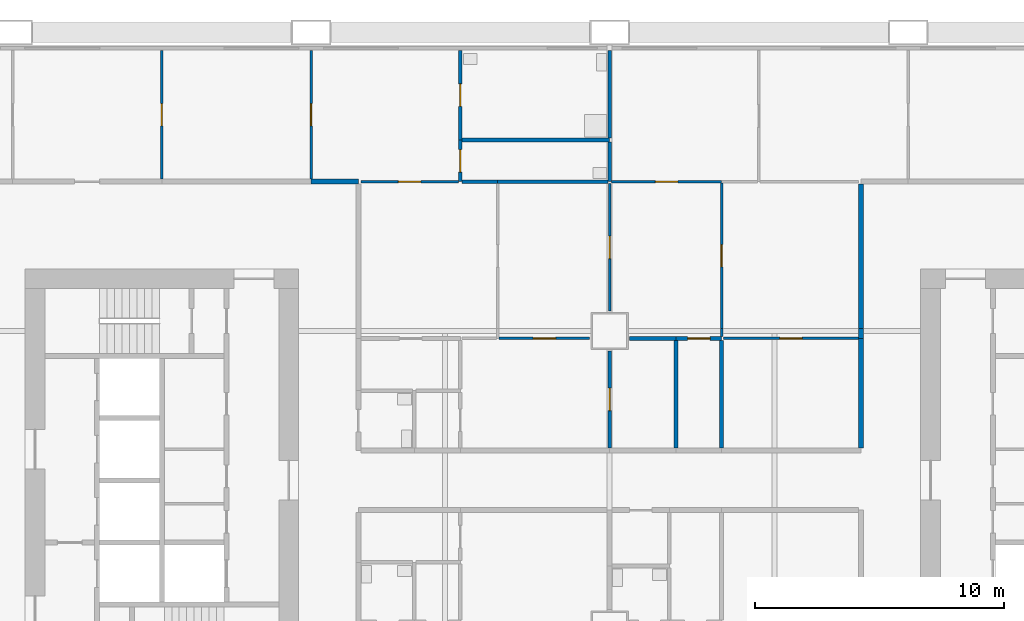
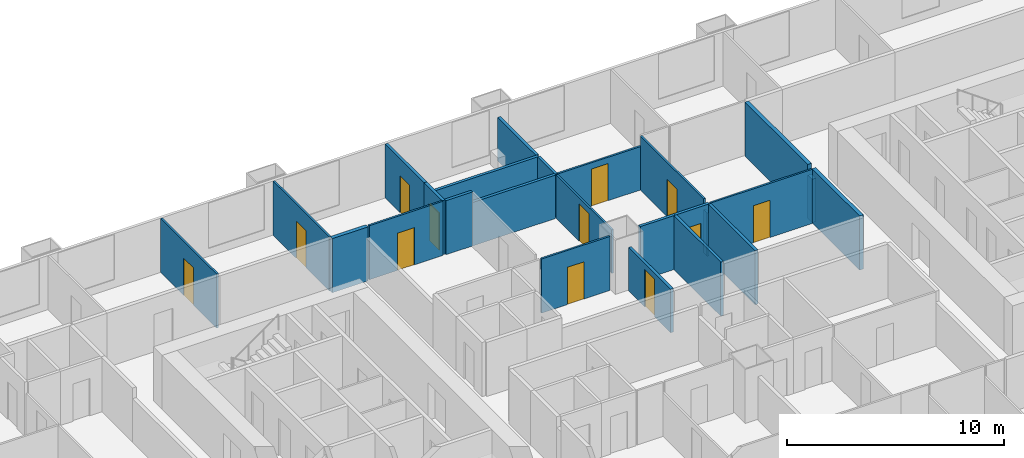
# One storey, part 9 of 14: 25 walls, 12 doors, 12 openings.
"""IFC4 building model written with IfcOpenShell, lengths in metres."""

from ifc_helpers import new_model, si_unit, direction, frame, frame_2d, origin, place, context, subcontext, project, spatial, rectangle, extrude, material, layer, layer_set, type_object, element, fill, save


model = new_model("IFC4")

# Units and contexts
model_context = context("Model", 3, precision=1e-05, world=origin(), true_north=direction((0.0, 1.0)))
body_context = subcontext(model_context, "Body", "Model", "MODEL_VIEW")
ifc_project = project(units=[si_unit("LENGTHUNIT", "METRE"), si_unit("AREAUNIT", "SQUARE_METRE"), si_unit("VOLUMEUNIT", "CUBIC_METRE"), si_unit("PLANEANGLEUNIT", "RADIAN"), si_unit("MASSUNIT", "GRAM", prefix="KILO")], contexts=[model_context])

# Site, building, storey
site_placement = place(None, origin())
site = spatial("IfcSite", under=ifc_project, at=site_placement, CompositionType="ELEMENT")
building_placement = place(site_placement, origin())
building = spatial("IfcBuilding", under=site, at=building_placement, Name="Kitamizu Gate Tower and Museum", CompositionType="ELEMENT")
storey_placement = place(building_placement, frame((0.0, 0.0, 61.050048828125)))
storey = spatial("IfcBuildingStorey", under=building, at=storey_placement, Name="L14", CompositionType="ELEMENT", Elevation=61.050048828125)

# Wall, opening, door
ifc_material_1 = material(Name="Gypsum board on galvanised stud")
ifc_layer_1 = layer(ifc_material_1, 0.10009765625)
ifc_layer_set_1 = layer_set([ifc_layer_1], Name="Gypsum board on galvanised stud")
wall_type_1 = type_object("IfcWallType", Name="Partition 100 NOT RATED", PredefinedType="PARTITIONING", material=ifc_layer_set_1)
wall_1_placement = place(storey_placement, frame((18.0, 42.10009765625, 0.0), z_axis=(0.0, 0.0, 1.0), x_axis=(0.0, 1.0, 0.0)))
wall_1 = element("IfcWall", 1, at=wall_1_placement, inside=storey, type_object=wall_type_1, Name="Partition L14-153", PredefinedType="PARTITIONING", context=body_context, shape_type="SweptSolid", body=[
    extrude(rectangle(XDim=5.179931640625, YDim=0.10009765625, at=frame_2d((2.58984375, 0.0))), origin(), (0.0, 0.0, 1.0), 3.050048828125),
])
opening_1_placement = place(wall_1_placement, frame((2.139892578125, 0.0, 0.0)))
opening_1 = element("IfcOpeningElement", 2, at=opening_1_placement, cuts=wall_1, Name="Opening L14-058", PredefinedType="OPENING", context=body_context, shape_type="SweptSolid", body=[
    extrude(rectangle(XDim=0.89990234375, YDim=2.10009765625, at=frame_2d((0.449951171875, 1.050048828125))), frame((0.0, 0.06005859375, 0.0), z_axis=(0.0, -1.0, 0.0), x_axis=(1.0, 0.0, 0.0)), (0.0, 0.0, 1.0), 0.1201171875),
])
ifc_material_2 = material(Name="Timber door set", Category="wood")
door_type_1 = type_object("IfcDoorType", Name="Room door 900", OperationType="NOTDEFINED", PredefinedType="DOOR", material=ifc_material_2)
door_1_placement = place(opening_1_placement, frame((0.89990234375, 0.0, 0.0), x_axis=(-1.0, 0.0, 0.0)))
door_1 = element("IfcDoor", 3, at=door_1_placement, inside=storey, type_object=door_type_1, Name="Door L14-058", OperationType="SINGLE_SWING_LEFT", OverallHeight=2.10009765625, OverallWidth=0.89990234375, PredefinedType="DOOR", context=body_context, shape_type="SweptSolid", body=[
    extrude(rectangle(XDim=0.89990234375, YDim=2.10009765625, at=frame_2d((0.449951171875, 1.050048828125))), frame((0.0, 0.02490234375, 0.0), z_axis=(0.0, -1.0, 0.0), x_axis=(1.0, 0.0, 0.0)), (0.0, 0.0, 1.0), 0.050048828125),
])
fill(opening_1, door_1)

wall_2_placement = place(storey_placement, frame((24.0, 42.10009765625, 0.0), z_axis=(0.0, 0.0, 1.0), x_axis=(0.0, 1.0, 0.0)))
wall_2 = element("IfcWall", 4, at=wall_2_placement, inside=storey, type_object=wall_type_1, Name="Partition L14-155", PredefinedType="PARTITIONING", context=body_context, shape_type="SweptSolid", body=[
    extrude(rectangle(XDim=5.179931640625, YDim=0.10009765625, at=frame_2d((2.58984375, 0.0))), origin(), (0.0, 0.0, 1.0), 3.050048828125),
])
opening_2_placement = place(wall_2_placement, frame((2.139892578125, 0.0, 0.0)))
opening_2 = element("IfcOpeningElement", 5, at=opening_2_placement, cuts=wall_2, Name="Opening L14-059", PredefinedType="OPENING", context=body_context, shape_type="SweptSolid", body=[
    extrude(rectangle(XDim=0.89990234375, YDim=2.10009765625, at=frame_2d((0.449951171875, 1.050048828125))), frame((0.0, 0.06005859375, 0.0), z_axis=(0.0, -1.0, 0.0), x_axis=(1.0, 0.0, 0.0)), (0.0, 0.0, 1.0), 0.1201171875),
])
door_2_placement = place(opening_2_placement, origin())
door_2 = element("IfcDoor", 6, at=door_2_placement, inside=storey, type_object=door_type_1, Name="Door L14-059", OperationType="SINGLE_SWING_LEFT", OverallHeight=2.10009765625, OverallWidth=0.89990234375, PredefinedType="DOOR", context=body_context, shape_type="SweptSolid", body=[
    extrude(rectangle(XDim=0.89990234375, YDim=2.10009765625, at=frame_2d((0.449951171875, 1.050048828125))), frame((0.0, 0.02490234375, 0.0), z_axis=(0.0, -1.0, 0.0), x_axis=(1.0, 0.0, 0.0)), (0.0, 0.0, 1.0), 0.050048828125),
])
fill(opening_2, door_2)

wall_3_placement = place(storey_placement, frame((26.0, 42.0, 0.0), z_axis=(0.0, 0.0, 1.0), x_axis=(1.0, 0.0, 0.0)))
wall_3 = element("IfcWall", 7, at=wall_3_placement, inside=storey, type_object=wall_type_1, Name="Partition L14-159", PredefinedType="PARTITIONING", context=body_context, shape_type="SweptSolid", body=[
    extrude(rectangle(XDim=3.925048828125, YDim=0.10009765625, at=frame_2d((1.96240234375, 0.0))), origin(), (0.0, 0.0, 1.0), 3.050048828125),
])
opening_3_placement = place(wall_3_placement, frame((1.512451171875, 0.0, 0.0)))
opening_3 = element("IfcOpeningElement", 8, at=opening_3_placement, cuts=wall_3, Name="Opening L14-062", PredefinedType="OPENING", context=body_context, shape_type="SweptSolid", body=[
    extrude(rectangle(XDim=0.89990234375, YDim=2.10009765625, at=frame_2d((0.449951171875, 1.050048828125))), frame((0.0, 0.06005859375, 0.0), z_axis=(0.0, -1.0, 0.0), x_axis=(1.0, 0.0, 0.0)), (0.0, 0.0, 1.0), 0.1201171875),
])
door_3_placement = place(opening_3_placement, origin())
door_3 = element("IfcDoor", 9, at=door_3_placement, inside=storey, type_object=door_type_1, Name="Door L14-062", OperationType="SINGLE_SWING_RIGHT", OverallHeight=2.10009765625, OverallWidth=0.89990234375, PredefinedType="DOOR", context=body_context, shape_type="SweptSolid", body=[
    extrude(rectangle(XDim=0.89990234375, YDim=2.10009765625, at=frame_2d((0.449951171875, 1.050048828125))), frame((0.0, 0.02490234375, 0.0), z_axis=(0.0, -1.0, 0.0), x_axis=(1.0, 0.0, 0.0)), (0.0, 0.0, 1.0), 0.050048828125),
])
fill(opening_3, door_3)

wall_4_placement = place(storey_placement, frame((36.074951171875, 42.0, 0.0), z_axis=(0.0, 0.0, 1.0), x_axis=(1.0, 0.0, 0.0)))
wall_4 = element("IfcWall", 10, at=wall_4_placement, inside=storey, type_object=wall_type_1, Name="Partition L14-167", PredefinedType="PARTITIONING", context=body_context, shape_type="SweptSolid", body=[
    extrude(rectangle(XDim=4.425048828125, YDim=0.10009765625, at=frame_2d((2.21240234375, 0.0))), origin(), (0.0, 0.0, 1.0), 2.449951171875),
])
opening_4_placement = place(wall_4_placement, frame((1.762451171875, 0.0, 0.0)))
opening_4 = element("IfcOpeningElement", 11, at=opening_4_placement, cuts=wall_4, Name="Opening L14-071", PredefinedType="OPENING", context=body_context, shape_type="SweptSolid", body=[
    extrude(rectangle(XDim=0.89990234375, YDim=2.10009765625, at=frame_2d((0.449951171875, 1.050048828125))), frame((0.0, 0.06005859375, 0.0), z_axis=(0.0, -1.0, 0.0), x_axis=(1.0, 0.0, 0.0)), (0.0, 0.0, 1.0), 0.1201171875),
])
door_4_placement = place(opening_4_placement, frame((0.89990234375, 0.0, 0.0), x_axis=(-1.0, 0.0, 0.0)))
door_4 = element("IfcDoor", 12, at=door_4_placement, inside=storey, type_object=door_type_1, Name="Door L14-071", OperationType="SINGLE_SWING_LEFT", OverallHeight=2.10009765625, OverallWidth=0.89990234375, PredefinedType="DOOR", context=body_context, shape_type="SweptSolid", body=[
    extrude(rectangle(XDim=0.89990234375, YDim=2.10009765625, at=frame_2d((0.449951171875, 1.050048828125))), frame((0.0, 0.02490234375, 0.0), z_axis=(0.0, -1.0, 0.0), x_axis=(1.0, 0.0, 0.0)), (0.0, 0.0, 1.0), 0.050048828125),
])
fill(opening_4, door_4)

wall_5_placement = place(storey_placement, frame((31.550048828125, 35.699951171875, 0.0), z_axis=(0.0, 0.0, 1.0), x_axis=(1.0, 0.0, 0.0)))
wall_5 = element("IfcWall", 13, at=wall_5_placement, inside=storey, type_object=wall_type_1, Name="Partition L14-181", PredefinedType="PARTITIONING", context=body_context, shape_type="SweptSolid", body=[
    extrude(rectangle(XDim=3.64990234375, YDim=0.10009765625, at=frame_2d((1.824951171875, 0.0))), origin(), (0.0, 0.0, 1.0), 3.050048828125),
])
opening_5_placement = place(wall_5_placement, frame((1.375, 0.0, 0.0)))
opening_5 = element("IfcOpeningElement", 14, at=opening_5_placement, cuts=wall_5, Name="Opening L14-065", PredefinedType="OPENING", context=body_context, shape_type="SweptSolid", body=[
    extrude(rectangle(XDim=0.89990234375, YDim=2.10009765625, at=frame_2d((0.449951171875, 1.050048828125))), frame((0.0, 0.06005859375, 0.0), z_axis=(0.0, -1.0, 0.0), x_axis=(1.0, 0.0, 0.0)), (0.0, 0.0, 1.0), 0.1201171875),
])
door_5_placement = place(opening_5_placement, frame((0.89990234375, 0.0, 0.0), x_axis=(-1.0, 0.0, 0.0)))
door_5 = element("IfcDoor", 15, at=door_5_placement, inside=storey, type_object=door_type_1, Name="Door L14-065", OperationType="SINGLE_SWING_RIGHT", OverallHeight=2.10009765625, OverallWidth=0.89990234375, PredefinedType="DOOR", context=body_context, shape_type="SweptSolid", body=[
    extrude(rectangle(XDim=0.89990234375, YDim=2.10009765625, at=frame_2d((0.449951171875, 1.050048828125))), frame((0.0, 0.02490234375, 0.0), z_axis=(0.0, -1.0, 0.0), x_axis=(1.0, 0.0, 0.0)), (0.0, 0.0, 1.0), 0.050048828125),
])
fill(opening_5, door_5)

wall_6_placement = place(storey_placement, frame((36.0, 36.800048828125, 0.0), z_axis=(0.0, 0.0, 1.0), x_axis=(0.0, 1.0, 0.0)))
wall_6 = element("IfcWall", 16, at=wall_6_placement, inside=storey, type_object=wall_type_1, Name="Partition L14-182", PredefinedType="PARTITIONING", context=body_context, shape_type="SweptSolid", body=[
    extrude(rectangle(XDim=5.125, YDim=0.10009765625, at=frame_2d((2.5625, 0.0))), origin(), (0.0, 0.0, 1.0), 2.449951171875),
])
opening_6_placement = place(wall_6_placement, frame((2.112548828125, 0.0, 0.0)))
opening_6 = element("IfcOpeningElement", 17, at=opening_6_placement, cuts=wall_6, Name="Opening L14-066", PredefinedType="OPENING", context=body_context, shape_type="SweptSolid", body=[
    extrude(rectangle(XDim=0.89990234375, YDim=2.10009765625, at=frame_2d((0.449951171875, 1.050048828125))), frame((0.0, 0.06005859375, 0.0), z_axis=(0.0, -1.0, 0.0), x_axis=(1.0, 0.0, 0.0)), (0.0, 0.0, 1.0), 0.1201171875),
])
door_6_placement = place(opening_6_placement, frame((0.89990234375, 0.0, 0.0), x_axis=(-1.0, 0.0, 0.0)))
door_6 = element("IfcDoor", 18, at=door_6_placement, inside=storey, type_object=door_type_1, Name="Door L14-066", OperationType="SINGLE_SWING_RIGHT", OverallHeight=2.10009765625, OverallWidth=0.89990234375, PredefinedType="DOOR", context=body_context, shape_type="SweptSolid", body=[
    extrude(rectangle(XDim=0.89990234375, YDim=2.10009765625, at=frame_2d((0.449951171875, 1.050048828125))), frame((0.0, 0.02490234375, 0.0), z_axis=(0.0, -1.0, 0.0), x_axis=(1.0, 0.0, 0.0)), (0.0, 0.0, 1.0), 0.050048828125),
])
fill(opening_6, door_6)

# Wall
wall_7_placement = place(storey_placement, frame((40.5, 35.77490234375, 0.0), z_axis=(0.0, 0.0, 1.0), x_axis=(0.0, 1.0, 0.0)))
element("IfcWall", 19, at=wall_7_placement, inside=storey, type_object=wall_type_1, Name="Partition L14-194", PredefinedType="PARTITIONING", context=body_context, shape_type="SweptSolid", body=[
    extrude(rectangle(XDim=0.3251953125, YDim=0.10009765625, at=frame_2d((0.16259765625, 0.0))), origin(), (0.0, 0.0, 1.0), 2.449951171875),
])

# Wall, opening, door
wall_8_placement = place(storey_placement, frame((40.5, 36.10009765625, 0.0), z_axis=(0.0, 0.0, 1.0), x_axis=(0.0, 1.0, 0.0)))
wall_8 = element("IfcWall", 20, at=wall_8_placement, inside=storey, type_object=wall_type_1, Name="Partition L14-195", PredefinedType="PARTITIONING", context=body_context, shape_type="SweptSolid", body=[
    extrude(rectangle(XDim=5.849853515625, YDim=0.10009765625, at=frame_2d((2.9248046875, 0.0))), origin(), (0.0, 0.0, 1.0), 3.050048828125),
])
opening_7_placement = place(wall_8_placement, frame((2.47509765625, 0.0, 0.0)))
opening_7 = element("IfcOpeningElement", 21, at=opening_7_placement, cuts=wall_8, Name="Opening L14-067", PredefinedType="OPENING", context=body_context, shape_type="SweptSolid", body=[
    extrude(rectangle(XDim=0.89990234375, YDim=2.10009765625, at=frame_2d((0.449951171875, 1.050048828125))), frame((0.0, 0.06005859375, 0.0), z_axis=(0.0, -1.0, 0.0), x_axis=(1.0, 0.0, 0.0)), (0.0, 0.0, 1.0), 0.1201171875),
])
door_7_placement = place(opening_7_placement, origin())
door_7 = element("IfcDoor", 22, at=door_7_placement, inside=storey, type_object=door_type_1, Name="Door L14-067", OperationType="SINGLE_SWING_RIGHT", OverallHeight=2.10009765625, OverallWidth=0.89990234375, PredefinedType="DOOR", context=body_context, shape_type="SweptSolid", body=[
    extrude(rectangle(XDim=0.89990234375, YDim=2.10009765625, at=frame_2d((0.449951171875, 1.050048828125))), frame((0.0, 0.02490234375, 0.0), z_axis=(0.0, -1.0, 0.0), x_axis=(1.0, 0.0, 0.0)), (0.0, 0.0, 1.0), 0.050048828125),
])
fill(opening_7, door_7)

wall_9_placement = place(storey_placement, frame((40.574951171875, 35.699951171875, 0.0), z_axis=(0.0, 0.0, 1.0), x_axis=(1.0, 0.0, 0.0)))
wall_9 = element("IfcWall", 23, at=wall_9_placement, inside=storey, type_object=wall_type_1, Name="Partition L14-198", PredefinedType="PARTITIONING", context=body_context, shape_type="SweptSolid", body=[
    extrude(rectangle(XDim=5.425048828125, YDim=0.10009765625, at=frame_2d((2.71240234375, 0.0))), origin(), (0.0, 0.0, 1.0), 3.050048828125),
])
opening_8_placement = place(wall_9_placement, frame((2.262451171875, 0.0, 0.0)))
opening_8 = element("IfcOpeningElement", 24, at=opening_8_placement, cuts=wall_9, Name="Opening L14-070", PredefinedType="OPENING", context=body_context, shape_type="SweptSolid", body=[
    extrude(rectangle(XDim=0.89990234375, YDim=2.10009765625, at=frame_2d((0.449951171875, 1.050048828125))), frame((0.0, 0.06005859375, 0.0), z_axis=(0.0, -1.0, 0.0), x_axis=(1.0, 0.0, 0.0)), (0.0, 0.0, 1.0), 0.1201171875),
])
door_8_placement = place(opening_8_placement, frame((0.89990234375, 0.0, 0.0), x_axis=(-1.0, 0.0, 0.0)))
door_8 = element("IfcDoor", 25, at=door_8_placement, inside=storey, type_object=door_type_1, Name="Door L14-070", OperationType="SINGLE_SWING_RIGHT", OverallHeight=2.10009765625, OverallWidth=0.89990234375, PredefinedType="DOOR", context=body_context, shape_type="SweptSolid", body=[
    extrude(rectangle(XDim=0.89990234375, YDim=2.10009765625, at=frame_2d((0.449951171875, 1.050048828125))), frame((0.0, 0.02490234375, 0.0), z_axis=(0.0, -1.0, 0.0), x_axis=(1.0, 0.0, 0.0)), (0.0, 0.0, 1.0), 0.050048828125),
])
fill(opening_8, door_8)

ifc_material_3 = material(Name="Gypsum board on galvanised stud")
ifc_layer_2 = layer(ifc_material_3, 0.14990234375)
ifc_layer_set_2 = layer_set([ifc_layer_2], Name="Gypsum board on galvanised stud")
wall_type_2 = type_object("IfcWallType", Name="Partition 150", PredefinedType="PARTITIONING", material=ifc_layer_set_2)
wall_10_placement = place(storey_placement, frame((30.0, 43.679931640625, 0.0), z_axis=(0.0, 0.0, 1.0), x_axis=(0.0, 1.0, 0.0)))
wall_10 = element("IfcWall", 26, at=wall_10_placement, inside=storey, type_object=wall_type_2, Name="Partition L14-157", PredefinedType="PARTITIONING", context=body_context, shape_type="SweptSolid", body=[
    extrude(rectangle(XDim=3.60009765625, YDim=0.14990234375, at=frame_2d((1.800048828125, 0.0))), origin(), (0.0, 0.0, 1.0), 3.050048828125),
])
opening_9_placement = place(wall_10_placement, frame((1.35009765625, 0.0, 0.0)))
opening_9 = element("IfcOpeningElement", 27, at=opening_9_placement, cuts=wall_10, Name="Opening L14-060", PredefinedType="OPENING", context=body_context, shape_type="SweptSolid", body=[
    extrude(rectangle(XDim=0.89990234375, YDim=2.10009765625, at=frame_2d((0.449951171875, 1.050048828125))), frame((0.0, 0.0849609375, 0.0), z_axis=(0.0, -1.0, 0.0), x_axis=(1.0, 0.0, 0.0)), (0.0, 0.0, 1.0), 0.169921875),
])
ifc_material_4 = material(Name="Timber door set", Category="wood")
door_type_2 = type_object("IfcDoorType", Name="Bathroom door 900", OperationType="NOTDEFINED", PredefinedType="DOOR", material=ifc_material_4)
door_9_placement = place(opening_9_placement, frame((0.89990234375, 0.0, 0.0), x_axis=(-1.0, 0.0, 0.0)))
door_9 = element("IfcDoor", 28, at=door_9_placement, inside=storey, type_object=door_type_2, Name="Bathroom door L14-060", OperationType="SINGLE_SWING_LEFT", OverallHeight=2.10009765625, OverallWidth=0.89990234375, PredefinedType="DOOR", context=body_context, shape_type="SweptSolid", body=[
    extrude(rectangle(XDim=0.89990234375, YDim=2.10009765625, at=frame_2d((0.449951171875, 1.050048828125))), frame((0.0, 0.02490234375, 0.0), z_axis=(0.0, -1.0, 0.0), x_axis=(1.0, 0.0, 0.0)), (0.0, 0.0, 1.0), 0.050048828125),
])
fill(opening_9, door_9)

wall_11_placement = place(storey_placement, frame((30.0, 42.0, 0.0), z_axis=(0.0, 0.0, 1.0), x_axis=(0.0, 1.0, 0.0)))
wall_11 = element("IfcWall", 29, at=wall_11_placement, inside=storey, type_object=wall_type_2, Name="Partition L14-158", PredefinedType="PARTITIONING", context=body_context, shape_type="SweptSolid", body=[
    extrude(rectangle(XDim=1.679931640625, YDim=0.14990234375, at=frame_2d((0.83984375, 0.0))), origin(), (0.0, 0.0, 1.0), 3.050048828125),
])
opening_10_placement = place(wall_11_placement, frame((0.389892578125, 0.0, 0.0)))
opening_10 = element("IfcOpeningElement", 30, at=opening_10_placement, cuts=wall_11, Name="Opening L14-061", PredefinedType="OPENING", context=body_context, shape_type="SweptSolid", body=[
    extrude(rectangle(XDim=0.89990234375, YDim=2.10009765625, at=frame_2d((0.449951171875, 1.050048828125))), frame((0.0, 0.0849609375, 0.0), z_axis=(0.0, -1.0, 0.0), x_axis=(1.0, 0.0, 0.0)), (0.0, 0.0, 1.0), 0.169921875),
])
door_10_placement = place(opening_10_placement, frame((0.89990234375, 0.0, 0.0), x_axis=(-1.0, 0.0, 0.0)))
door_10 = element("IfcDoor", 31, at=door_10_placement, inside=storey, type_object=door_type_2, Name="Bathroom door L14-061", OperationType="SINGLE_SWING_RIGHT", OverallHeight=2.10009765625, OverallWidth=0.89990234375, PredefinedType="DOOR", context=body_context, shape_type="SweptSolid", body=[
    extrude(rectangle(XDim=0.89990234375, YDim=2.10009765625, at=frame_2d((0.449951171875, 1.050048828125))), frame((0.0, 0.02490234375, 0.0), z_axis=(0.0, -1.0, 0.0), x_axis=(1.0, 0.0, 0.0)), (0.0, 0.0, 1.0), 0.050048828125),
])
fill(opening_10, door_10)

# Walls
wall_12_placement = place(storey_placement, frame((30.074951171875, 43.679931640625, 0.0), z_axis=(0.0, 0.0, 1.0), x_axis=(1.0, 0.0, 0.0)))
element("IfcWall", 32, at=wall_12_placement, inside=storey, type_object=wall_type_2, Name="Partition L14-161", PredefinedType="PARTITIONING", context=body_context, shape_type="SweptSolid", body=[
    extrude(rectangle(XDim=5.925048828125, YDim=0.14990234375, at=frame_2d((2.96240234375, 0.0))), origin(), (0.0, 0.0, 1.0), 2.449951171875),
])
wall_13_placement = place(storey_placement, frame((36.0, 43.7548828125, 0.0), z_axis=(0.0, 0.0, 1.0), x_axis=(0.0, 1.0, 0.0)))
element("IfcWall", 33, at=wall_13_placement, inside=storey, type_object=wall_type_2, Name="Partition L14-162", PredefinedType="PARTITIONING", context=body_context, shape_type="SweptSolid", body=[
    extrude(rectangle(XDim=3.525146484375, YDim=0.14990234375, at=frame_2d((1.7626953125, 0.0))), origin(), (0.0, 0.0, 1.0), 2.449951171875),
])
wall_14_placement = place(storey_placement, frame((36.0, 42.0, 0.0), z_axis=(0.0, 0.0, 1.0), x_axis=(0.0, 1.0, 0.0)))
element("IfcWall", 34, at=wall_14_placement, inside=storey, type_object=wall_type_2, Name="Partition L14-163", PredefinedType="PARTITIONING", context=body_context, shape_type="SweptSolid", body=[
    extrude(rectangle(XDim=1.60498046875, YDim=0.14990234375, at=frame_2d((0.802490234375, 0.0))), origin(), (0.0, 0.0, 1.0), 2.449951171875),
])
wall_15_placement = place(storey_placement, frame((30.074951171875, 42.0, 0.0), z_axis=(0.0, 0.0, 1.0), x_axis=(1.0, 0.0, 0.0)))
element("IfcWall", 35, at=wall_15_placement, inside=storey, type_object=wall_type_2, Name="Partition L14-164", PredefinedType="PARTITIONING", context=body_context, shape_type="SweptSolid", body=[
    extrude(rectangle(XDim=1.425048828125, YDim=0.14990234375, at=frame_2d((0.71240234375, 0.0))), origin(), (0.0, 0.0, 1.0), 3.050048828125),
])
wall_16_placement = place(storey_placement, frame((31.5, 42.0, 0.0), z_axis=(0.0, 0.0, 1.0), x_axis=(1.0, 0.0, 0.0)))
element("IfcWall", 36, at=wall_16_placement, inside=storey, type_object=wall_type_2, Name="Partition L14-165", PredefinedType="PARTITIONING", context=body_context, shape_type="SweptSolid", body=[
    extrude(rectangle(XDim=4.425048828125, YDim=0.14990234375, at=frame_2d((2.21240234375, 0.0))), origin(), (0.0, 0.0, 1.0), 2.449951171875),
])

# Wall, opening, door
wall_17_placement = place(storey_placement, frame((36.0, 31.300048828125, 0.0), z_axis=(0.0, 0.0, 1.0), x_axis=(0.0, 1.0, 0.0)))
wall_17 = element("IfcWall", 37, at=wall_17_placement, inside=storey, type_object=wall_type_2, Name="Partition L14-192", PredefinedType="PARTITIONING", context=body_context, shape_type="SweptSolid", body=[
    extrude(rectangle(XDim=3.89990234375, YDim=0.14990234375, at=frame_2d((1.949951171875, 0.0))), origin(), (0.0, 0.0, 1.0), 2.449951171875),
])
opening_11_placement = place(wall_17_placement, frame((1.5, 0.0, 0.0)))
opening_11 = element("IfcOpeningElement", 38, at=opening_11_placement, cuts=wall_17, Name="Opening L14-068", PredefinedType="OPENING", context=body_context, shape_type="SweptSolid", body=[
    extrude(rectangle(XDim=0.89990234375, YDim=2.10009765625, at=frame_2d((0.449951171875, 1.050048828125))), frame((0.0, 0.0849609375, 0.0), z_axis=(0.0, -1.0, 0.0), x_axis=(1.0, 0.0, 0.0)), (0.0, 0.0, 1.0), 0.169921875),
])
door_11_placement = place(opening_11_placement, frame((0.89990234375, 0.0, 0.0), x_axis=(-1.0, 0.0, 0.0)))
door_11 = element("IfcDoor", 39, at=door_11_placement, inside=storey, type_object=door_type_2, Name="Bathroom door L14-068", OperationType="SINGLE_SWING_RIGHT", OverallHeight=2.10009765625, OverallWidth=0.89990234375, PredefinedType="DOOR", context=body_context, shape_type="SweptSolid", body=[
    extrude(rectangle(XDim=0.89990234375, YDim=2.10009765625, at=frame_2d((0.449951171875, 1.050048828125))), frame((0.0, 0.02490234375, 0.0), z_axis=(0.0, -1.0, 0.0), x_axis=(1.0, 0.0, 0.0)), (0.0, 0.0, 1.0), 0.050048828125),
])
fill(opening_11, door_11)

# Wall
wall_18_placement = place(storey_placement, frame((36.800048828125, 35.699951171875, 0.0), z_axis=(0.0, 0.0, 1.0), x_axis=(1.0, 0.0, 0.0)))
element("IfcWall", 40, at=wall_18_placement, inside=storey, type_object=wall_type_2, Name="Partition L14-196", PredefinedType="PARTITIONING", context=body_context, shape_type="SweptSolid", body=[
    extrude(rectangle(XDim=1.866943359375, YDim=0.14990234375, at=frame_2d((0.93359375, 0.0))), origin(), (0.0, 0.0, 1.0), 3.050048828125),
])

# Wall, opening, door
wall_19_placement = place(storey_placement, frame((38.6669921875, 35.699951171875, 0.0), z_axis=(0.0, 0.0, 1.0), x_axis=(1.0, 0.0, 0.0)))
wall_19 = element("IfcWall", 41, at=wall_19_placement, inside=storey, type_object=wall_type_2, Name="Partition L14-197", PredefinedType="PARTITIONING", context=body_context, shape_type="SweptSolid", body=[
    extrude(rectangle(XDim=1.8330078125, YDim=0.14990234375, at=frame_2d((0.91650390625, 0.0))), origin(), (0.0, 0.0, 1.0), 3.050048828125),
])
opening_12_placement = place(wall_19_placement, frame((0.466552734375, 0.0, 0.0)))
opening_12 = element("IfcOpeningElement", 42, at=opening_12_placement, cuts=wall_19, Name="Opening L14-069", PredefinedType="OPENING", context=body_context, shape_type="SweptSolid", body=[
    extrude(rectangle(XDim=0.89990234375, YDim=2.10009765625, at=frame_2d((0.449951171875, 1.050048828125))), frame((0.0, 0.0849609375, 0.0), z_axis=(0.0, -1.0, 0.0), x_axis=(1.0, 0.0, 0.0)), (0.0, 0.0, 1.0), 0.169921875),
])
door_12_placement = place(opening_12_placement, frame((0.89990234375, 0.0, 0.0), x_axis=(-1.0, 0.0, 0.0)))
door_12 = element("IfcDoor", 43, at=door_12_placement, inside=storey, type_object=door_type_2, Name="Bathroom door L14-069", OperationType="SINGLE_SWING_LEFT", OverallHeight=2.10009765625, OverallWidth=0.89990234375, PredefinedType="DOOR", context=body_context, shape_type="SweptSolid", body=[
    extrude(rectangle(XDim=0.89990234375, YDim=2.10009765625, at=frame_2d((0.449951171875, 1.050048828125))), frame((0.0, 0.02490234375, 0.0), z_axis=(0.0, -1.0, 0.0), x_axis=(1.0, 0.0, 0.0)), (0.0, 0.0, 1.0), 0.050048828125),
])
fill(opening_12, door_12)

# Walls
for number, where, z_axis, x_axis, name in (
    (44, (38.6669921875, 31.300048828125, 0.0), (0.0, 0.0, 1.0), (0.0, 1.0, 0.0), "Partition L14-201"),
    (45, (40.5, 31.300048828125, 0.0), (0.0, 0.0, 1.0), (0.0, 1.0, 0.0), "Partition L14-203"),
):
    element("IfcWall", number, at=place(storey_placement, frame(where, z_axis=z_axis, x_axis=x_axis)), inside=storey, type_object=wall_type_2, Name=name, PredefinedType="PARTITIONING", context=body_context, shape_type="SweptSolid", body=[
        extrude(rectangle(XDim=4.324951171875, YDim=0.14990234375, at=frame_2d((2.16259765625, 0.0))), origin(), (0.0, 0.0, 1.0), 3.050048828125),
    ])
ifc_material_5 = material(Name="Gypsum board on galvanised stud")
ifc_layer_3 = layer(ifc_material_5, 0.199951171875)
ifc_layer_set_3 = layer_set([ifc_layer_3], Name="Gypsum board on galvanised stud")
wall_type_3 = type_object("IfcWallType", Name="Partition 200", PredefinedType="PARTITIONING", material=ifc_layer_set_3)
wall_20_placement = place(storey_placement, frame((24.0, 42.0, 0.0), z_axis=(0.0, 0.0, 1.0), x_axis=(1.0, 0.0, 0.0)))
element("IfcWall", 46, at=wall_20_placement, inside=storey, type_object=wall_type_3, Name="Partition L14-160", PredefinedType="PARTITIONING", context=body_context, shape_type="SweptSolid", body=[
    extrude(rectangle(XDim=1.89990234375, YDim=0.199951171875, at=frame_2d((0.949951171875, 0.0))), origin(), (0.0, 0.0, 1.0), 3.050048828125),
])
wall_21_placement = place(storey_placement, frame((46.10009765625, 35.699951171875, 0.0), z_axis=(0.0, 0.0, 1.0), x_axis=(0.0, 1.0, 0.0)))
element("IfcWall", 47, at=wall_21_placement, inside=storey, type_object=wall_type_3, Name="Partition L14-199", PredefinedType="PARTITIONING", context=body_context, shape_type="SweptSolid", body=[
    extrude(rectangle(XDim=0.400146484375, YDim=0.199951171875, at=frame_2d((0.2001953125, 0.0))), origin(), (0.0, 0.0, 1.0), 2.449951171875),
])
wall_22_placement = place(storey_placement, frame((46.10009765625, 36.10009765625, 0.0), z_axis=(0.0, 0.0, 1.0), x_axis=(0.0, 1.0, 0.0)))
element("IfcWall", 48, at=wall_22_placement, inside=storey, type_object=wall_type_3, Name="Partition L14-200", PredefinedType="PARTITIONING", context=body_context, shape_type="SweptSolid", body=[
    extrude(rectangle(XDim=5.7998046875, YDim=0.199951171875, at=frame_2d((2.89990234375, 0.0))), origin(), (0.0, 0.0, 1.0), 3.050048828125),
])
wall_23_placement = place(storey_placement, frame((46.10009765625, 31.300048828125, 0.0), z_axis=(0.0, 0.0, 1.0), x_axis=(0.0, 1.0, 0.0)))
element("IfcWall", 49, at=wall_23_placement, inside=storey, type_object=wall_type_3, Name="Partition L14-206", PredefinedType="PARTITIONING", context=body_context, shape_type="SweptSolid", body=[
    extrude(rectangle(XDim=4.39990234375, YDim=0.199951171875, at=frame_2d((2.199951171875, 0.0))), origin(), (0.0, 0.0, 1.0), 3.050048828125),
])

save(model, "model.ifc")
